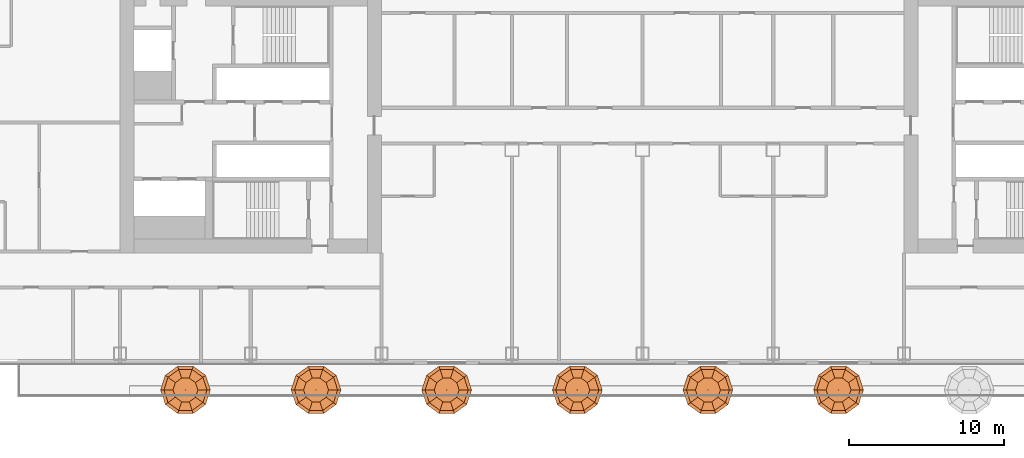
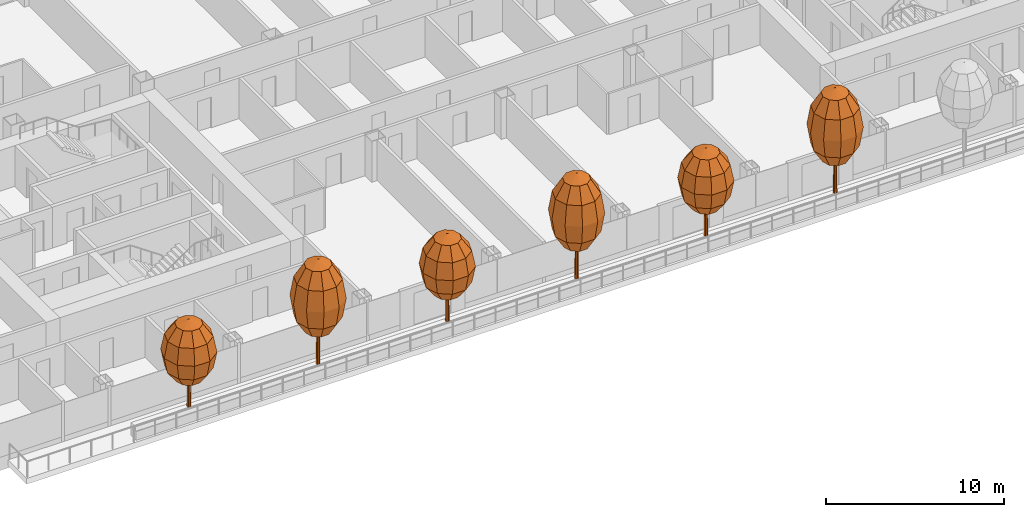
# One storey, part 32 of 34: 6 geographic elements.
"""IFC4 building model written with IfcOpenShell, lengths in metres."""

from ifc_helpers import new_model, si_unit, direction, frame, origin, place, context, subcontext, project, spatial, triangles, material, type_object, element, save


model = new_model("IFC4")

# Units and contexts
model_context = context("Model", 3, precision=1e-05, world=origin(), true_north=direction((0.0, 1.0)))
body_context = subcontext(model_context, "Body", "Model", "MODEL_VIEW")
ifc_project = project(units=[si_unit("LENGTHUNIT", "METRE"), si_unit("AREAUNIT", "SQUARE_METRE"), si_unit("VOLUMEUNIT", "CUBIC_METRE"), si_unit("PLANEANGLEUNIT", "RADIAN"), si_unit("MASSUNIT", "GRAM", prefix="KILO")], contexts=[model_context])

# Site, building, storey
site_placement = place(None, origin())
site = spatial("IfcSite", under=ifc_project, at=site_placement, CompositionType="ELEMENT")
building_placement = place(site_placement, origin())
building = spatial("IfcBuilding", under=site, at=building_placement, Name="Hakoniwa Tower and Hamabe Station Hall", CompositionType="ELEMENT")
storey_placement = place(building_placement, frame((0.0, 0.0, 107.39990234375)))
storey = spatial("IfcBuildingStorey", under=building, at=storey_placement, Name="L30", CompositionType="ELEMENT", Elevation=107.39990234375)

# Geographic elements
ifc_material_1 = material(Name="Tree foliage")
geographic_element_type_1 = type_object("IfcGeographicElementType", Name="Japanese maple 7.2 m", PredefinedType="USERDEFINED", material=ifc_material_1)
geographic_element_1_placement = place(storey_placement, frame((-21.0, -17.199951171875, 0.900146484375)))
element("IfcGeographicElement", 1, at=geographic_element_1_placement, inside=storey, type_object=geographic_element_type_1, Name="Japanese maple 7-2 m", ObjectType="TREE", PredefinedType="USERDEFINED", context=body_context, shape_type="Tessellation", body=[
    triangles([(0.125, 0.0, 0.0), (0.08837890625, 0.08837890625, 0.0), (0.0, 0.125, 0.0), (-0.08837890625, 0.08837890625, 0.0), (-0.125, 0.0, 0.0), (-0.08837890625, -0.08837890625, 0.0), (0.0, -0.125, 0.0), (0.08837890625, -0.08837890625, 0.0), (0.074951171875, 0.0, 4.348876953125), (0.052978515625, 0.052978515625, 4.348876953125), (0.0, 0.074951171875, 4.348876953125), (-0.052978515625, 0.052978515625, 4.348876953125), (-0.074951171875, 0.0, 4.348876953125), (-0.052978515625, -0.052978515625, 4.348876953125), (0.0, -0.074951171875, 4.348876953125), (0.052978515625, -0.052978515625, 4.348876953125), (0.0, 0.0, 0.0), (0.0, 0.0, 4.348876953125)], [[1, 2, 10], [1, 10, 9], [17, 2, 1], [18, 9, 10], [2, 3, 11], [2, 11, 10], [17, 3, 2], [18, 10, 11], [3, 4, 12], [3, 12, 11], [17, 4, 3], [18, 11, 12], [4, 5, 13], [4, 13, 12], [17, 5, 4], [18, 12, 13], [5, 6, 14], [5, 14, 13], [17, 6, 5], [18, 13, 14], [6, 7, 15], [6, 15, 14], [17, 7, 6], [18, 14, 15], [7, 8, 16], [7, 16, 15], [17, 8, 7], [18, 15, 16], [8, 1, 9], [8, 9, 16], [17, 1, 8], [18, 16, 9]], closed=True),
    triangles([(0.0, 0.0, 2.015869140625), (0.800048828125, 0.0, 2.36328125), (0.647216796875, 0.47021484375, 2.36328125), (0.247314453125, 0.7607421875, 2.36328125), (-0.247314453125, 0.7607421875, 2.36328125), (-0.647216796875, 0.47021484375, 2.36328125), (-0.800048828125, 0.0, 2.36328125), (-0.647216796875, -0.47021484375, 2.36328125), (-0.247314453125, -0.7607421875, 2.36328125), (0.247314453125, -0.7607421875, 2.36328125), (0.647216796875, -0.47021484375, 2.36328125), (1.385498046875, 0.0, 3.31201171875), (1.12109375, 0.814453125, 3.31201171875), (0.42822265625, 1.31787109375, 3.31201171875), (-0.42822265625, 1.31787109375, 3.31201171875), (-1.12109375, 0.814453125, 3.31201171875), (-1.385498046875, 0.0, 3.31201171875), (-1.12109375, -0.814453125, 3.31201171875), (-0.42822265625, -1.31787109375, 3.31201171875), (0.42822265625, -1.31787109375, 3.31201171875), (1.12109375, -0.814453125, 3.31201171875), (1.60009765625, 0.0, 4.60791015625), (1.29443359375, 0.9404296875, 4.60791015625), (0.494384765625, 1.521728515625, 4.60791015625), (-0.494384765625, 1.521728515625, 4.60791015625), (-1.29443359375, 0.9404296875, 4.60791015625), (-1.60009765625, 0.0, 4.60791015625), (-1.29443359375, -0.9404296875, 4.60791015625), (-0.494384765625, -1.521728515625, 4.60791015625), (0.494384765625, -1.521728515625, 4.60791015625), (1.29443359375, -0.9404296875, 4.60791015625), (1.385498046875, 0.0, 5.904052734375), (1.12109375, 0.814453125, 5.904052734375), (0.42822265625, 1.31787109375, 5.904052734375), (-0.42822265625, 1.31787109375, 5.904052734375), (-1.12109375, 0.814453125, 5.904052734375), (-1.385498046875, 0.0, 5.904052734375), (-1.12109375, -0.814453125, 5.904052734375), (-0.42822265625, -1.31787109375, 5.904052734375), (0.42822265625, -1.31787109375, 5.904052734375), (1.12109375, -0.814453125, 5.904052734375), (0.800048828125, 0.0, 6.852783203125), (0.647216796875, 0.47021484375, 6.852783203125), (0.247314453125, 0.7607421875, 6.852783203125), (-0.247314453125, 0.7607421875, 6.852783203125), (-0.647216796875, 0.47021484375, 6.852783203125), (-0.800048828125, 0.0, 6.852783203125), (-0.647216796875, -0.47021484375, 6.852783203125), (-0.247314453125, -0.7607421875, 6.852783203125), (0.247314453125, -0.7607421875, 6.852783203125), (0.647216796875, -0.47021484375, 6.852783203125), (0.0, 0.0, 7.199951171875)], [[1, 3, 2], [1, 4, 3], [1, 5, 4], [1, 6, 5], [1, 7, 6], [1, 8, 7], [1, 9, 8], [1, 10, 9], [1, 11, 10], [1, 2, 11], [2, 3, 13], [2, 13, 12], [3, 4, 14], [3, 14, 13], [4, 5, 15], [4, 15, 14], [5, 6, 16], [5, 16, 15], [6, 7, 17], [6, 17, 16], [7, 8, 18], [7, 18, 17], [8, 9, 19], [8, 19, 18], [9, 10, 20], [9, 20, 19], [10, 11, 21], [10, 21, 20], [11, 2, 12], [11, 12, 21], [12, 13, 23], [12, 23, 22], [13, 14, 24], [13, 24, 23], [14, 15, 25], [14, 25, 24], [15, 16, 26], [15, 26, 25], [16, 17, 27], [16, 27, 26], [17, 18, 28], [17, 28, 27], [18, 19, 29], [18, 29, 28], [19, 20, 30], [19, 30, 29], [20, 21, 31], [20, 31, 30], [21, 12, 22], [21, 22, 31], [22, 23, 33], [22, 33, 32], [23, 24, 34], [23, 34, 33], [24, 25, 35], [24, 35, 34], [25, 26, 36], [25, 36, 35], [26, 27, 37], [26, 37, 36], [27, 28, 38], [27, 38, 37], [28, 29, 39], [28, 39, 38], [29, 30, 40], [29, 40, 39], [30, 31, 41], [30, 41, 40], [31, 22, 32], [31, 32, 41], [32, 33, 43], [32, 43, 42], [33, 34, 44], [33, 44, 43], [34, 35, 45], [34, 45, 44], [35, 36, 46], [35, 46, 45], [36, 37, 47], [36, 47, 46], [37, 38, 48], [37, 48, 47], [38, 39, 49], [38, 49, 48], [39, 40, 50], [39, 50, 49], [40, 41, 51], [40, 51, 50], [41, 32, 42], [41, 42, 51], [52, 42, 43], [52, 43, 44], [52, 44, 45], [52, 45, 46], [52, 46, 47], [52, 47, 48], [52, 48, 49], [52, 49, 50], [52, 50, 51], [52, 51, 42]], closed=True),
])
geographic_element_2_placement = place(storey_placement, frame((-4.199951171875, -17.199951171875, 0.900146484375)))
element("IfcGeographicElement", 2, at=geographic_element_2_placement, inside=storey, type_object=geographic_element_type_1, Name="Japanese maple 7-2 m", ObjectType="TREE", PredefinedType="USERDEFINED", context=body_context, shape_type="Tessellation", body=[
    triangles([(0.125, 0.0, 0.0), (0.08837890625, 0.08837890625, 0.0), (0.0, 0.125, 0.0), (-0.08837890625, 0.08837890625, 0.0), (-0.125, 0.0, 0.0), (-0.08837890625, -0.08837890625, 0.0), (0.0, -0.125, 0.0), (0.08837890625, -0.08837890625, 0.0), (0.074951171875, 0.0, 4.348876953125), (0.052978515625, 0.052978515625, 4.348876953125), (0.0, 0.074951171875, 4.348876953125), (-0.052978515625, 0.052978515625, 4.348876953125), (-0.074951171875, 0.0, 4.348876953125), (-0.052978515625, -0.052978515625, 4.348876953125), (0.0, -0.074951171875, 4.348876953125), (0.052978515625, -0.052978515625, 4.348876953125), (0.0, 0.0, 0.0), (0.0, 0.0, 4.348876953125)], [[1, 2, 10], [1, 10, 9], [17, 2, 1], [18, 9, 10], [2, 3, 11], [2, 11, 10], [17, 3, 2], [18, 10, 11], [3, 4, 12], [3, 12, 11], [17, 4, 3], [18, 11, 12], [4, 5, 13], [4, 13, 12], [17, 5, 4], [18, 12, 13], [5, 6, 14], [5, 14, 13], [17, 6, 5], [18, 13, 14], [6, 7, 15], [6, 15, 14], [17, 7, 6], [18, 14, 15], [7, 8, 16], [7, 16, 15], [17, 8, 7], [18, 15, 16], [8, 1, 9], [8, 9, 16], [17, 1, 8], [18, 16, 9]], closed=True),
    triangles([(0.0, 0.0, 2.015869140625), (0.800048828125, 0.0, 2.36328125), (0.647216796875, 0.47021484375, 2.36328125), (0.247314453125, 0.7607421875, 2.36328125), (-0.247314453125, 0.7607421875, 2.36328125), (-0.647216796875, 0.47021484375, 2.36328125), (-0.800048828125, 0.0, 2.36328125), (-0.647216796875, -0.47021484375, 2.36328125), (-0.247314453125, -0.7607421875, 2.36328125), (0.247314453125, -0.7607421875, 2.36328125), (0.647216796875, -0.47021484375, 2.36328125), (1.385498046875, 0.0, 3.31201171875), (1.12109375, 0.814453125, 3.31201171875), (0.42822265625, 1.31787109375, 3.31201171875), (-0.42822265625, 1.31787109375, 3.31201171875), (-1.12109375, 0.814453125, 3.31201171875), (-1.385498046875, 0.0, 3.31201171875), (-1.12109375, -0.814453125, 3.31201171875), (-0.42822265625, -1.31787109375, 3.31201171875), (0.42822265625, -1.31787109375, 3.31201171875), (1.12109375, -0.814453125, 3.31201171875), (1.60009765625, 0.0, 4.60791015625), (1.29443359375, 0.9404296875, 4.60791015625), (0.494384765625, 1.521728515625, 4.60791015625), (-0.494384765625, 1.521728515625, 4.60791015625), (-1.29443359375, 0.9404296875, 4.60791015625), (-1.60009765625, 0.0, 4.60791015625), (-1.29443359375, -0.9404296875, 4.60791015625), (-0.494384765625, -1.521728515625, 4.60791015625), (0.494384765625, -1.521728515625, 4.60791015625), (1.29443359375, -0.9404296875, 4.60791015625), (1.385498046875, 0.0, 5.904052734375), (1.12109375, 0.814453125, 5.904052734375), (0.42822265625, 1.31787109375, 5.904052734375), (-0.42822265625, 1.31787109375, 5.904052734375), (-1.12109375, 0.814453125, 5.904052734375), (-1.385498046875, 0.0, 5.904052734375), (-1.12109375, -0.814453125, 5.904052734375), (-0.42822265625, -1.31787109375, 5.904052734375), (0.42822265625, -1.31787109375, 5.904052734375), (1.12109375, -0.814453125, 5.904052734375), (0.800048828125, 0.0, 6.852783203125), (0.647216796875, 0.47021484375, 6.852783203125), (0.247314453125, 0.7607421875, 6.852783203125), (-0.247314453125, 0.7607421875, 6.852783203125), (-0.647216796875, 0.47021484375, 6.852783203125), (-0.800048828125, 0.0, 6.852783203125), (-0.647216796875, -0.47021484375, 6.852783203125), (-0.247314453125, -0.7607421875, 6.852783203125), (0.247314453125, -0.7607421875, 6.852783203125), (0.647216796875, -0.47021484375, 6.852783203125), (0.0, 0.0, 7.199951171875)], [[1, 3, 2], [1, 4, 3], [1, 5, 4], [1, 6, 5], [1, 7, 6], [1, 8, 7], [1, 9, 8], [1, 10, 9], [1, 11, 10], [1, 2, 11], [2, 3, 13], [2, 13, 12], [3, 4, 14], [3, 14, 13], [4, 5, 15], [4, 15, 14], [5, 6, 16], [5, 16, 15], [6, 7, 17], [6, 17, 16], [7, 8, 18], [7, 18, 17], [8, 9, 19], [8, 19, 18], [9, 10, 20], [9, 20, 19], [10, 11, 21], [10, 21, 20], [11, 2, 12], [11, 12, 21], [12, 13, 23], [12, 23, 22], [13, 14, 24], [13, 24, 23], [14, 15, 25], [14, 25, 24], [15, 16, 26], [15, 26, 25], [16, 17, 27], [16, 27, 26], [17, 18, 28], [17, 28, 27], [18, 19, 29], [18, 29, 28], [19, 20, 30], [19, 30, 29], [20, 21, 31], [20, 31, 30], [21, 12, 22], [21, 22, 31], [22, 23, 33], [22, 33, 32], [23, 24, 34], [23, 34, 33], [24, 25, 35], [24, 35, 34], [25, 26, 36], [25, 36, 35], [26, 27, 37], [26, 37, 36], [27, 28, 38], [27, 38, 37], [28, 29, 39], [28, 39, 38], [29, 30, 40], [29, 40, 39], [30, 31, 41], [30, 41, 40], [31, 22, 32], [31, 32, 41], [32, 33, 43], [32, 43, 42], [33, 34, 44], [33, 44, 43], [34, 35, 45], [34, 45, 44], [35, 36, 46], [35, 46, 45], [36, 37, 47], [36, 47, 46], [37, 38, 48], [37, 48, 47], [38, 39, 49], [38, 49, 48], [39, 40, 50], [39, 50, 49], [40, 41, 51], [40, 51, 50], [41, 32, 42], [41, 42, 51], [52, 42, 43], [52, 43, 44], [52, 44, 45], [52, 45, 46], [52, 46, 47], [52, 47, 48], [52, 48, 49], [52, 49, 50], [52, 50, 51], [52, 51, 42]], closed=True),
])
geographic_element_3_placement = place(storey_placement, frame((12.60009765625, -17.199951171875, 0.900146484375)))
element("IfcGeographicElement", 3, at=geographic_element_3_placement, inside=storey, type_object=geographic_element_type_1, Name="Japanese maple 7-2 m", ObjectType="TREE", PredefinedType="USERDEFINED", context=body_context, shape_type="Tessellation", body=[
    triangles([(0.125, 0.0, 0.0), (0.08837890625, 0.08837890625, 0.0), (0.0, 0.125, 0.0), (-0.08837890625, 0.08837890625, 0.0), (-0.125, 0.0, 0.0), (-0.08837890625, -0.08837890625, 0.0), (0.0, -0.125, 0.0), (0.08837890625, -0.08837890625, 0.0), (0.074951171875, 0.0, 4.348876953125), (0.052978515625, 0.052978515625, 4.348876953125), (0.0, 0.074951171875, 4.348876953125), (-0.052978515625, 0.052978515625, 4.348876953125), (-0.074951171875, 0.0, 4.348876953125), (-0.052978515625, -0.052978515625, 4.348876953125), (0.0, -0.074951171875, 4.348876953125), (0.052978515625, -0.052978515625, 4.348876953125), (0.0, 0.0, 0.0), (0.0, 0.0, 4.348876953125)], [[1, 2, 10], [1, 10, 9], [17, 2, 1], [18, 9, 10], [2, 3, 11], [2, 11, 10], [17, 3, 2], [18, 10, 11], [3, 4, 12], [3, 12, 11], [17, 4, 3], [18, 11, 12], [4, 5, 13], [4, 13, 12], [17, 5, 4], [18, 12, 13], [5, 6, 14], [5, 14, 13], [17, 6, 5], [18, 13, 14], [6, 7, 15], [6, 15, 14], [17, 7, 6], [18, 14, 15], [7, 8, 16], [7, 16, 15], [17, 8, 7], [18, 15, 16], [8, 1, 9], [8, 9, 16], [17, 1, 8], [18, 16, 9]], closed=True),
    triangles([(0.0, 0.0, 2.015869140625), (0.800048828125, 0.0, 2.36328125), (0.647216796875, 0.47021484375, 2.36328125), (0.247314453125, 0.7607421875, 2.36328125), (-0.247314453125, 0.7607421875, 2.36328125), (-0.647216796875, 0.47021484375, 2.36328125), (-0.800048828125, 0.0, 2.36328125), (-0.647216796875, -0.47021484375, 2.36328125), (-0.247314453125, -0.7607421875, 2.36328125), (0.247314453125, -0.7607421875, 2.36328125), (0.647216796875, -0.47021484375, 2.36328125), (1.385498046875, 0.0, 3.31201171875), (1.12109375, 0.814453125, 3.31201171875), (0.42822265625, 1.31787109375, 3.31201171875), (-0.42822265625, 1.31787109375, 3.31201171875), (-1.12109375, 0.814453125, 3.31201171875), (-1.385498046875, 0.0, 3.31201171875), (-1.12109375, -0.814453125, 3.31201171875), (-0.42822265625, -1.31787109375, 3.31201171875), (0.42822265625, -1.31787109375, 3.31201171875), (1.12109375, -0.814453125, 3.31201171875), (1.60009765625, 0.0, 4.60791015625), (1.29443359375, 0.9404296875, 4.60791015625), (0.494384765625, 1.521728515625, 4.60791015625), (-0.494384765625, 1.521728515625, 4.60791015625), (-1.29443359375, 0.9404296875, 4.60791015625), (-1.60009765625, 0.0, 4.60791015625), (-1.29443359375, -0.9404296875, 4.60791015625), (-0.494384765625, -1.521728515625, 4.60791015625), (0.494384765625, -1.521728515625, 4.60791015625), (1.29443359375, -0.9404296875, 4.60791015625), (1.385498046875, 0.0, 5.904052734375), (1.12109375, 0.814453125, 5.904052734375), (0.42822265625, 1.31787109375, 5.904052734375), (-0.42822265625, 1.31787109375, 5.904052734375), (-1.12109375, 0.814453125, 5.904052734375), (-1.385498046875, 0.0, 5.904052734375), (-1.12109375, -0.814453125, 5.904052734375), (-0.42822265625, -1.31787109375, 5.904052734375), (0.42822265625, -1.31787109375, 5.904052734375), (1.12109375, -0.814453125, 5.904052734375), (0.800048828125, 0.0, 6.852783203125), (0.647216796875, 0.47021484375, 6.852783203125), (0.247314453125, 0.7607421875, 6.852783203125), (-0.247314453125, 0.7607421875, 6.852783203125), (-0.647216796875, 0.47021484375, 6.852783203125), (-0.800048828125, 0.0, 6.852783203125), (-0.647216796875, -0.47021484375, 6.852783203125), (-0.247314453125, -0.7607421875, 6.852783203125), (0.247314453125, -0.7607421875, 6.852783203125), (0.647216796875, -0.47021484375, 6.852783203125), (0.0, 0.0, 7.199951171875)], [[1, 3, 2], [1, 4, 3], [1, 5, 4], [1, 6, 5], [1, 7, 6], [1, 8, 7], [1, 9, 8], [1, 10, 9], [1, 11, 10], [1, 2, 11], [2, 3, 13], [2, 13, 12], [3, 4, 14], [3, 14, 13], [4, 5, 15], [4, 15, 14], [5, 6, 16], [5, 16, 15], [6, 7, 17], [6, 17, 16], [7, 8, 18], [7, 18, 17], [8, 9, 19], [8, 19, 18], [9, 10, 20], [9, 20, 19], [10, 11, 21], [10, 21, 20], [11, 2, 12], [11, 12, 21], [12, 13, 23], [12, 23, 22], [13, 14, 24], [13, 24, 23], [14, 15, 25], [14, 25, 24], [15, 16, 26], [15, 26, 25], [16, 17, 27], [16, 27, 26], [17, 18, 28], [17, 28, 27], [18, 19, 29], [18, 29, 28], [19, 20, 30], [19, 30, 29], [20, 21, 31], [20, 31, 30], [21, 12, 22], [21, 22, 31], [22, 23, 33], [22, 33, 32], [23, 24, 34], [23, 34, 33], [24, 25, 35], [24, 35, 34], [25, 26, 36], [25, 36, 35], [26, 27, 37], [26, 37, 36], [27, 28, 38], [27, 38, 37], [28, 29, 39], [28, 39, 38], [29, 30, 40], [29, 40, 39], [30, 31, 41], [30, 41, 40], [31, 22, 32], [31, 32, 41], [32, 33, 43], [32, 43, 42], [33, 34, 44], [33, 44, 43], [34, 35, 45], [34, 45, 44], [35, 36, 46], [35, 46, 45], [36, 37, 47], [36, 47, 46], [37, 38, 48], [37, 48, 47], [38, 39, 49], [38, 49, 48], [39, 40, 50], [39, 50, 49], [40, 41, 51], [40, 51, 50], [41, 32, 42], [41, 42, 51], [52, 42, 43], [52, 43, 44], [52, 44, 45], [52, 45, 46], [52, 46, 47], [52, 47, 48], [52, 48, 49], [52, 49, 50], [52, 50, 51], [52, 51, 42]], closed=True),
])
ifc_material_2 = material(Name="Tree foliage")
geographic_element_type_2 = type_object("IfcGeographicElementType", Name="Osmanthus 6.0 m", PredefinedType="USERDEFINED", material=ifc_material_2)
geographic_element_4_placement = place(storey_placement, frame((-29.39990234375, -17.199951171875, 0.900146484375)))
element("IfcGeographicElement", 4, at=geographic_element_4_placement, inside=storey, type_object=geographic_element_type_2, Name="Osmanthus 6-0 m", ObjectType="TREE", PredefinedType="USERDEFINED", context=body_context, shape_type="Tessellation", body=[
    triangles([(0.125, 0.0, 0.0), (0.08837890625, 0.08837890625, 0.0), (0.0, 0.125, 0.0), (-0.08837890625, 0.08837890625, 0.0), (-0.125, 0.0, 0.0), (-0.08837890625, -0.08837890625, 0.0), (0.0, -0.125, 0.0), (0.08837890625, -0.08837890625, 0.0), (0.074951171875, 0.0, 3.6240234375), (0.052978515625, 0.052978515625, 3.6240234375), (0.0, 0.074951171875, 3.6240234375), (-0.052978515625, 0.052978515625, 3.6240234375), (-0.074951171875, 0.0, 3.6240234375), (-0.052978515625, -0.052978515625, 3.6240234375), (0.0, -0.074951171875, 3.6240234375), (0.052978515625, -0.052978515625, 3.6240234375), (0.0, 0.0, 0.0), (0.0, 0.0, 3.6240234375)], [[1, 2, 10], [1, 10, 9], [17, 2, 1], [18, 9, 10], [2, 3, 11], [2, 11, 10], [17, 3, 2], [18, 10, 11], [3, 4, 12], [3, 12, 11], [17, 4, 3], [18, 11, 12], [4, 5, 13], [4, 13, 12], [17, 5, 4], [18, 12, 13], [5, 6, 14], [5, 14, 13], [17, 6, 5], [18, 13, 14], [6, 7, 15], [6, 15, 14], [17, 7, 6], [18, 14, 15], [7, 8, 16], [7, 16, 15], [17, 8, 7], [18, 15, 16], [8, 1, 9], [8, 9, 16], [17, 1, 8], [18, 16, 9]], closed=True),
    triangles([(0.0, 0.0, 1.679931640625), (0.800048828125, 0.0, 1.969482421875), (0.647216796875, 0.47021484375, 1.969482421875), (0.247314453125, 0.7607421875, 1.969482421875), (-0.247314453125, 0.7607421875, 1.969482421875), (-0.647216796875, 0.47021484375, 1.969482421875), (-0.800048828125, 0.0, 1.969482421875), (-0.647216796875, -0.47021484375, 1.969482421875), (-0.247314453125, -0.7607421875, 1.969482421875), (0.247314453125, -0.7607421875, 1.969482421875), (0.647216796875, -0.47021484375, 1.969482421875), (1.385498046875, 0.0, 2.760009765625), (1.12109375, 0.814453125, 2.760009765625), (0.42822265625, 1.31787109375, 2.760009765625), (-0.42822265625, 1.31787109375, 2.760009765625), (-1.12109375, 0.814453125, 2.760009765625), (-1.385498046875, 0.0, 2.760009765625), (-1.12109375, -0.814453125, 2.760009765625), (-0.42822265625, -1.31787109375, 2.760009765625), (0.42822265625, -1.31787109375, 2.760009765625), (1.12109375, -0.814453125, 2.760009765625), (1.60009765625, 0.0, 3.840087890625), (1.29443359375, 0.9404296875, 3.840087890625), (0.494384765625, 1.521728515625, 3.840087890625), (-0.494384765625, 1.521728515625, 3.840087890625), (-1.29443359375, 0.9404296875, 3.840087890625), (-1.60009765625, 0.0, 3.840087890625), (-1.29443359375, -0.9404296875, 3.840087890625), (-0.494384765625, -1.521728515625, 3.840087890625), (0.494384765625, -1.521728515625, 3.840087890625), (1.29443359375, -0.9404296875, 3.840087890625), (1.385498046875, 0.0, 4.919921875), (1.12109375, 0.814453125, 4.919921875), (0.42822265625, 1.31787109375, 4.919921875), (-0.42822265625, 1.31787109375, 4.919921875), (-1.12109375, 0.814453125, 4.919921875), (-1.385498046875, 0.0, 4.919921875), (-1.12109375, -0.814453125, 4.919921875), (-0.42822265625, -1.31787109375, 4.919921875), (0.42822265625, -1.31787109375, 4.919921875), (1.12109375, -0.814453125, 4.919921875), (0.800048828125, 0.0, 5.710693359375), (0.647216796875, 0.47021484375, 5.710693359375), (0.247314453125, 0.7607421875, 5.710693359375), (-0.247314453125, 0.7607421875, 5.710693359375), (-0.647216796875, 0.47021484375, 5.710693359375), (-0.800048828125, 0.0, 5.710693359375), (-0.647216796875, -0.47021484375, 5.710693359375), (-0.247314453125, -0.7607421875, 5.710693359375), (0.247314453125, -0.7607421875, 5.710693359375), (0.647216796875, -0.47021484375, 5.710693359375), (0.0, 0.0, 6.0)], [[1, 3, 2], [1, 4, 3], [1, 5, 4], [1, 6, 5], [1, 7, 6], [1, 8, 7], [1, 9, 8], [1, 10, 9], [1, 11, 10], [1, 2, 11], [2, 3, 13], [2, 13, 12], [3, 4, 14], [3, 14, 13], [4, 5, 15], [4, 15, 14], [5, 6, 16], [5, 16, 15], [6, 7, 17], [6, 17, 16], [7, 8, 18], [7, 18, 17], [8, 9, 19], [8, 19, 18], [9, 10, 20], [9, 20, 19], [10, 11, 21], [10, 21, 20], [11, 2, 12], [11, 12, 21], [12, 13, 23], [12, 23, 22], [13, 14, 24], [13, 24, 23], [14, 15, 25], [14, 25, 24], [15, 16, 26], [15, 26, 25], [16, 17, 27], [16, 27, 26], [17, 18, 28], [17, 28, 27], [18, 19, 29], [18, 29, 28], [19, 20, 30], [19, 30, 29], [20, 21, 31], [20, 31, 30], [21, 12, 22], [21, 22, 31], [22, 23, 33], [22, 33, 32], [23, 24, 34], [23, 34, 33], [24, 25, 35], [24, 35, 34], [25, 26, 36], [25, 36, 35], [26, 27, 37], [26, 37, 36], [27, 28, 38], [27, 38, 37], [28, 29, 39], [28, 39, 38], [29, 30, 40], [29, 40, 39], [30, 31, 41], [30, 41, 40], [31, 22, 32], [31, 32, 41], [32, 33, 43], [32, 43, 42], [33, 34, 44], [33, 44, 43], [34, 35, 45], [34, 45, 44], [35, 36, 46], [35, 46, 45], [36, 37, 47], [36, 47, 46], [37, 38, 48], [37, 48, 47], [38, 39, 49], [38, 49, 48], [39, 40, 50], [39, 50, 49], [40, 41, 51], [40, 51, 50], [41, 32, 42], [41, 42, 51], [52, 42, 43], [52, 43, 44], [52, 44, 45], [52, 45, 46], [52, 46, 47], [52, 47, 48], [52, 48, 49], [52, 49, 50], [52, 50, 51], [52, 51, 42]], closed=True),
])
geographic_element_5_placement = place(storey_placement, frame((-12.60009765625, -17.199951171875, 0.900146484375)))
element("IfcGeographicElement", 5, at=geographic_element_5_placement, inside=storey, type_object=geographic_element_type_2, Name="Osmanthus 6-0 m", ObjectType="TREE", PredefinedType="USERDEFINED", context=body_context, shape_type="Tessellation", body=[
    triangles([(0.125, 0.0, 0.0), (0.08837890625, 0.08837890625, 0.0), (0.0, 0.125, 0.0), (-0.08837890625, 0.08837890625, 0.0), (-0.125, 0.0, 0.0), (-0.08837890625, -0.08837890625, 0.0), (0.0, -0.125, 0.0), (0.08837890625, -0.08837890625, 0.0), (0.074951171875, 0.0, 3.6240234375), (0.052978515625, 0.052978515625, 3.6240234375), (0.0, 0.074951171875, 3.6240234375), (-0.052978515625, 0.052978515625, 3.6240234375), (-0.074951171875, 0.0, 3.6240234375), (-0.052978515625, -0.052978515625, 3.6240234375), (0.0, -0.074951171875, 3.6240234375), (0.052978515625, -0.052978515625, 3.6240234375), (0.0, 0.0, 0.0), (0.0, 0.0, 3.6240234375)], [[1, 2, 10], [1, 10, 9], [17, 2, 1], [18, 9, 10], [2, 3, 11], [2, 11, 10], [17, 3, 2], [18, 10, 11], [3, 4, 12], [3, 12, 11], [17, 4, 3], [18, 11, 12], [4, 5, 13], [4, 13, 12], [17, 5, 4], [18, 12, 13], [5, 6, 14], [5, 14, 13], [17, 6, 5], [18, 13, 14], [6, 7, 15], [6, 15, 14], [17, 7, 6], [18, 14, 15], [7, 8, 16], [7, 16, 15], [17, 8, 7], [18, 15, 16], [8, 1, 9], [8, 9, 16], [17, 1, 8], [18, 16, 9]], closed=True),
    triangles([(0.0, 0.0, 1.679931640625), (0.800048828125, 0.0, 1.969482421875), (0.647216796875, 0.47021484375, 1.969482421875), (0.247314453125, 0.7607421875, 1.969482421875), (-0.247314453125, 0.7607421875, 1.969482421875), (-0.647216796875, 0.47021484375, 1.969482421875), (-0.800048828125, 0.0, 1.969482421875), (-0.647216796875, -0.47021484375, 1.969482421875), (-0.247314453125, -0.7607421875, 1.969482421875), (0.247314453125, -0.7607421875, 1.969482421875), (0.647216796875, -0.47021484375, 1.969482421875), (1.385498046875, 0.0, 2.760009765625), (1.12109375, 0.814453125, 2.760009765625), (0.42822265625, 1.31787109375, 2.760009765625), (-0.42822265625, 1.31787109375, 2.760009765625), (-1.12109375, 0.814453125, 2.760009765625), (-1.385498046875, 0.0, 2.760009765625), (-1.12109375, -0.814453125, 2.760009765625), (-0.42822265625, -1.31787109375, 2.760009765625), (0.42822265625, -1.31787109375, 2.760009765625), (1.12109375, -0.814453125, 2.760009765625), (1.60009765625, 0.0, 3.840087890625), (1.29443359375, 0.9404296875, 3.840087890625), (0.494384765625, 1.521728515625, 3.840087890625), (-0.494384765625, 1.521728515625, 3.840087890625), (-1.29443359375, 0.9404296875, 3.840087890625), (-1.60009765625, 0.0, 3.840087890625), (-1.29443359375, -0.9404296875, 3.840087890625), (-0.494384765625, -1.521728515625, 3.840087890625), (0.494384765625, -1.521728515625, 3.840087890625), (1.29443359375, -0.9404296875, 3.840087890625), (1.385498046875, 0.0, 4.919921875), (1.12109375, 0.814453125, 4.919921875), (0.42822265625, 1.31787109375, 4.919921875), (-0.42822265625, 1.31787109375, 4.919921875), (-1.12109375, 0.814453125, 4.919921875), (-1.385498046875, 0.0, 4.919921875), (-1.12109375, -0.814453125, 4.919921875), (-0.42822265625, -1.31787109375, 4.919921875), (0.42822265625, -1.31787109375, 4.919921875), (1.12109375, -0.814453125, 4.919921875), (0.800048828125, 0.0, 5.710693359375), (0.647216796875, 0.47021484375, 5.710693359375), (0.247314453125, 0.7607421875, 5.710693359375), (-0.247314453125, 0.7607421875, 5.710693359375), (-0.647216796875, 0.47021484375, 5.710693359375), (-0.800048828125, 0.0, 5.710693359375), (-0.647216796875, -0.47021484375, 5.710693359375), (-0.247314453125, -0.7607421875, 5.710693359375), (0.247314453125, -0.7607421875, 5.710693359375), (0.647216796875, -0.47021484375, 5.710693359375), (0.0, 0.0, 6.0)], [[1, 3, 2], [1, 4, 3], [1, 5, 4], [1, 6, 5], [1, 7, 6], [1, 8, 7], [1, 9, 8], [1, 10, 9], [1, 11, 10], [1, 2, 11], [2, 3, 13], [2, 13, 12], [3, 4, 14], [3, 14, 13], [4, 5, 15], [4, 15, 14], [5, 6, 16], [5, 16, 15], [6, 7, 17], [6, 17, 16], [7, 8, 18], [7, 18, 17], [8, 9, 19], [8, 19, 18], [9, 10, 20], [9, 20, 19], [10, 11, 21], [10, 21, 20], [11, 2, 12], [11, 12, 21], [12, 13, 23], [12, 23, 22], [13, 14, 24], [13, 24, 23], [14, 15, 25], [14, 25, 24], [15, 16, 26], [15, 26, 25], [16, 17, 27], [16, 27, 26], [17, 18, 28], [17, 28, 27], [18, 19, 29], [18, 29, 28], [19, 20, 30], [19, 30, 29], [20, 21, 31], [20, 31, 30], [21, 12, 22], [21, 22, 31], [22, 23, 33], [22, 33, 32], [23, 24, 34], [23, 34, 33], [24, 25, 35], [24, 35, 34], [25, 26, 36], [25, 36, 35], [26, 27, 37], [26, 37, 36], [27, 28, 38], [27, 38, 37], [28, 29, 39], [28, 39, 38], [29, 30, 40], [29, 40, 39], [30, 31, 41], [30, 41, 40], [31, 22, 32], [31, 32, 41], [32, 33, 43], [32, 43, 42], [33, 34, 44], [33, 44, 43], [34, 35, 45], [34, 45, 44], [35, 36, 46], [35, 46, 45], [36, 37, 47], [36, 47, 46], [37, 38, 48], [37, 48, 47], [38, 39, 49], [38, 49, 48], [39, 40, 50], [39, 50, 49], [40, 41, 51], [40, 51, 50], [41, 32, 42], [41, 42, 51], [52, 42, 43], [52, 43, 44], [52, 44, 45], [52, 45, 46], [52, 46, 47], [52, 47, 48], [52, 48, 49], [52, 49, 50], [52, 50, 51], [52, 51, 42]], closed=True),
])
geographic_element_6_placement = place(storey_placement, frame((4.199951171875, -17.199951171875, 0.900146484375)))
element("IfcGeographicElement", 6, at=geographic_element_6_placement, inside=storey, type_object=geographic_element_type_2, Name="Osmanthus 6-0 m", ObjectType="TREE", PredefinedType="USERDEFINED", context=body_context, shape_type="Tessellation", body=[
    triangles([(0.125, 0.0, 0.0), (0.08837890625, 0.08837890625, 0.0), (0.0, 0.125, 0.0), (-0.08837890625, 0.08837890625, 0.0), (-0.125, 0.0, 0.0), (-0.08837890625, -0.08837890625, 0.0), (0.0, -0.125, 0.0), (0.08837890625, -0.08837890625, 0.0), (0.074951171875, 0.0, 3.6240234375), (0.052978515625, 0.052978515625, 3.6240234375), (0.0, 0.074951171875, 3.6240234375), (-0.052978515625, 0.052978515625, 3.6240234375), (-0.074951171875, 0.0, 3.6240234375), (-0.052978515625, -0.052978515625, 3.6240234375), (0.0, -0.074951171875, 3.6240234375), (0.052978515625, -0.052978515625, 3.6240234375), (0.0, 0.0, 0.0), (0.0, 0.0, 3.6240234375)], [[1, 2, 10], [1, 10, 9], [17, 2, 1], [18, 9, 10], [2, 3, 11], [2, 11, 10], [17, 3, 2], [18, 10, 11], [3, 4, 12], [3, 12, 11], [17, 4, 3], [18, 11, 12], [4, 5, 13], [4, 13, 12], [17, 5, 4], [18, 12, 13], [5, 6, 14], [5, 14, 13], [17, 6, 5], [18, 13, 14], [6, 7, 15], [6, 15, 14], [17, 7, 6], [18, 14, 15], [7, 8, 16], [7, 16, 15], [17, 8, 7], [18, 15, 16], [8, 1, 9], [8, 9, 16], [17, 1, 8], [18, 16, 9]], closed=True),
    triangles([(0.0, 0.0, 1.679931640625), (0.800048828125, 0.0, 1.969482421875), (0.647216796875, 0.47021484375, 1.969482421875), (0.247314453125, 0.7607421875, 1.969482421875), (-0.247314453125, 0.7607421875, 1.969482421875), (-0.647216796875, 0.47021484375, 1.969482421875), (-0.800048828125, 0.0, 1.969482421875), (-0.647216796875, -0.47021484375, 1.969482421875), (-0.247314453125, -0.7607421875, 1.969482421875), (0.247314453125, -0.7607421875, 1.969482421875), (0.647216796875, -0.47021484375, 1.969482421875), (1.385498046875, 0.0, 2.760009765625), (1.12109375, 0.814453125, 2.760009765625), (0.42822265625, 1.31787109375, 2.760009765625), (-0.42822265625, 1.31787109375, 2.760009765625), (-1.12109375, 0.814453125, 2.760009765625), (-1.385498046875, 0.0, 2.760009765625), (-1.12109375, -0.814453125, 2.760009765625), (-0.42822265625, -1.31787109375, 2.760009765625), (0.42822265625, -1.31787109375, 2.760009765625), (1.12109375, -0.814453125, 2.760009765625), (1.60009765625, 0.0, 3.840087890625), (1.29443359375, 0.9404296875, 3.840087890625), (0.494384765625, 1.521728515625, 3.840087890625), (-0.494384765625, 1.521728515625, 3.840087890625), (-1.29443359375, 0.9404296875, 3.840087890625), (-1.60009765625, 0.0, 3.840087890625), (-1.29443359375, -0.9404296875, 3.840087890625), (-0.494384765625, -1.521728515625, 3.840087890625), (0.494384765625, -1.521728515625, 3.840087890625), (1.29443359375, -0.9404296875, 3.840087890625), (1.385498046875, 0.0, 4.919921875), (1.12109375, 0.814453125, 4.919921875), (0.42822265625, 1.31787109375, 4.919921875), (-0.42822265625, 1.31787109375, 4.919921875), (-1.12109375, 0.814453125, 4.919921875), (-1.385498046875, 0.0, 4.919921875), (-1.12109375, -0.814453125, 4.919921875), (-0.42822265625, -1.31787109375, 4.919921875), (0.42822265625, -1.31787109375, 4.919921875), (1.12109375, -0.814453125, 4.919921875), (0.800048828125, 0.0, 5.710693359375), (0.647216796875, 0.47021484375, 5.710693359375), (0.247314453125, 0.7607421875, 5.710693359375), (-0.247314453125, 0.7607421875, 5.710693359375), (-0.647216796875, 0.47021484375, 5.710693359375), (-0.800048828125, 0.0, 5.710693359375), (-0.647216796875, -0.47021484375, 5.710693359375), (-0.247314453125, -0.7607421875, 5.710693359375), (0.247314453125, -0.7607421875, 5.710693359375), (0.647216796875, -0.47021484375, 5.710693359375), (0.0, 0.0, 6.0)], [[1, 3, 2], [1, 4, 3], [1, 5, 4], [1, 6, 5], [1, 7, 6], [1, 8, 7], [1, 9, 8], [1, 10, 9], [1, 11, 10], [1, 2, 11], [2, 3, 13], [2, 13, 12], [3, 4, 14], [3, 14, 13], [4, 5, 15], [4, 15, 14], [5, 6, 16], [5, 16, 15], [6, 7, 17], [6, 17, 16], [7, 8, 18], [7, 18, 17], [8, 9, 19], [8, 19, 18], [9, 10, 20], [9, 20, 19], [10, 11, 21], [10, 21, 20], [11, 2, 12], [11, 12, 21], [12, 13, 23], [12, 23, 22], [13, 14, 24], [13, 24, 23], [14, 15, 25], [14, 25, 24], [15, 16, 26], [15, 26, 25], [16, 17, 27], [16, 27, 26], [17, 18, 28], [17, 28, 27], [18, 19, 29], [18, 29, 28], [19, 20, 30], [19, 30, 29], [20, 21, 31], [20, 31, 30], [21, 12, 22], [21, 22, 31], [22, 23, 33], [22, 33, 32], [23, 24, 34], [23, 34, 33], [24, 25, 35], [24, 35, 34], [25, 26, 36], [25, 36, 35], [26, 27, 37], [26, 37, 36], [27, 28, 38], [27, 38, 37], [28, 29, 39], [28, 39, 38], [29, 30, 40], [29, 40, 39], [30, 31, 41], [30, 41, 40], [31, 22, 32], [31, 32, 41], [32, 33, 43], [32, 43, 42], [33, 34, 44], [33, 44, 43], [34, 35, 45], [34, 45, 44], [35, 36, 46], [35, 46, 45], [36, 37, 47], [36, 47, 46], [37, 38, 48], [37, 48, 47], [38, 39, 49], [38, 49, 48], [39, 40, 50], [39, 50, 49], [40, 41, 51], [40, 51, 50], [41, 32, 42], [41, 42, 51], [52, 42, 43], [52, 43, 44], [52, 44, 45], [52, 45, 46], [52, 46, 47], [52, 47, 48], [52, 48, 49], [52, 49, 50], [52, 50, 51], [52, 51, 42]], closed=True),
])

save(model, "model.ifc")
